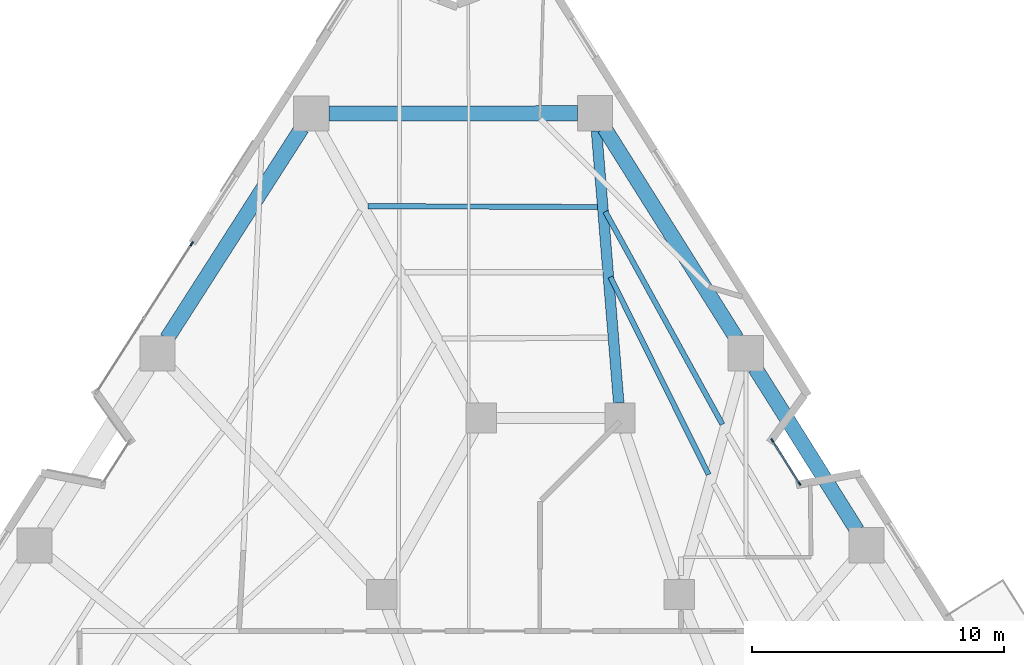
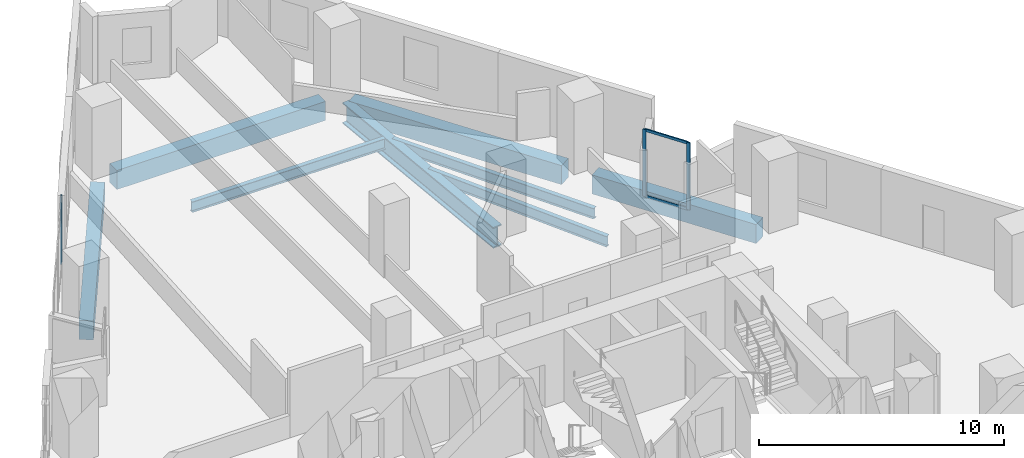
# One storey, part 4 of 12: 8 beams, 5 members, 2 elements without a shape of their own.
"""IFC4 building model written with IfcOpenShell, lengths in metres."""

import ifcopenshell
import ifcopenshell.guid

model = None  # the IFC model being written
_history = None  # IfcOwnerHistory: only IFC2X3 demands one
_inside = {}  # id of a spatial element -> (the spatial element, [elements in it])
_under = {}  # id of a project, library or spatial element -> (it, [spatial elements below it])
_declared = {}  # id of a project -> (the project, [libraries it declares])
_typed = {}  # id of a type object -> (the type object, [elements of that type])
_made_of = {}  # id of a material, layer set ... -> (it, [elements and type objects made of it])


def new_model(schema):
    """Start an empty IFC model of exactly this schema.

    Asked for "IFC4X3", IfcOpenShell would pick the latest addendum, in which some entities
    have other attributes; the version numbers below select the first issue.
    IFC2X3 requires an IfcOwnerHistory on every rooted entity: one is made here for all.
    """
    global model, _history
    if schema == "IFC4X3":
        model = ifcopenshell.file(schema_version=(4, 3, 0, 0))
    else:
        model = ifcopenshell.file(schema=schema)
    _inside.clear()
    _under.clear()
    _declared.clear()
    _typed.clear()
    _made_of.clear()
    _history = None
    if model.schema == "IFC2X3":
        org = make("IfcOrganization", Name="unknown")
        user = make(
            "IfcPersonAndOrganization",
            ThePerson=make("IfcPerson", FamilyName="unknown"),
            TheOrganization=org,
        )
        app = make(
            "IfcApplication",
            ApplicationDeveloper=org,
            Version="unknown",
            ApplicationFullName="unknown",
            ApplicationIdentifier="unknown",
        )
        _history = make(
            "IfcOwnerHistory",
            OwningUser=user,
            OwningApplication=app,
            ChangeAction="ADDED",
            CreationDate=0,
        )
    return model


def make(cls, **values):
    """One entity of the class cls with the attributes given. An attribute that is None is left unset."""
    return model.create_entity(
        cls, **{name: value for name, value in values.items() if value is not None}
    )


def rooted(cls, **values):
    """An entity with a GlobalId (a new one), such as an element, a storey or a relation."""
    return make(cls, GlobalId=ifcopenshell.guid.new(), OwnerHistory=_history, **values)


def si_unit(unit_type, name, prefix=None):
    """IfcSIUnit, for example si_unit("LENGTHUNIT", "METRE", prefix="MILLI")."""
    return make("IfcSIUnit", UnitType=unit_type, Prefix=prefix, Name=name)


def assignment(units):
    """IfcUnitAssignment: the units of a project."""
    return None if units is None else make("IfcUnitAssignment", Units=units)


def point(xyz):
    """IfcCartesianPoint."""
    return None if xyz is None else make("IfcCartesianPoint", Coordinates=xyz)


def direction(xyz):
    """IfcDirection."""
    return None if xyz is None else make("IfcDirection", DirectionRatios=xyz)


def frame(location, z_axis=None, x_axis=None):
    """IfcAxis2Placement3D, a coordinate frame: its origin and axes. An axis left out is left unset."""
    return make(
        "IfcAxis2Placement3D",
        Location=point(location),
        Axis=direction(z_axis),
        RefDirection=direction(x_axis),
    )


def frame_2d(location, x_axis=None):
    """IfcAxis2Placement2D, a coordinate frame in the plane: its origin and x axis."""
    return make(
        "IfcAxis2Placement2D", Location=point(location), RefDirection=direction(x_axis)
    )


def origin():
    """The frame at (0, 0, 0) with its axes left unset."""
    return frame((0.0, 0.0, 0.0))


def origin_2d():
    """The frame at (0, 0) in the plane with its x axis left unset."""
    return frame_2d((0.0, 0.0))


def place(relative_to, where):
    """IfcLocalPlacement: puts the frame where relative to a parent placement (None: the world)."""
    return make(
        "IfcLocalPlacement", PlacementRelTo=relative_to, RelativePlacement=where
    )


def context(
    kind, dimensions, precision=None, world=None, true_north=None, identifier=None
):
    """IfcGeometricRepresentationContext, for example the 3D "Model" context."""
    return make(
        "IfcGeometricRepresentationContext",
        ContextIdentifier=identifier,
        ContextType=kind,
        CoordinateSpaceDimension=dimensions,
        Precision=precision,
        WorldCoordinateSystem=world,
        TrueNorth=true_north,
    )


def subcontext(parent, identifier, kind, view, scale=None):
    """IfcGeometricRepresentationSubContext, for example "Body" below "Model"."""
    return make(
        "IfcGeometricRepresentationSubContext",
        ContextIdentifier=identifier,
        ContextType=kind,
        ParentContext=parent,
        TargetScale=scale,
        TargetView=view,
    )


def project(units=None, contexts=None):
    """IfcProject with its units and contexts."""
    return rooted(
        "IfcProject",
        Name="project",
        RepresentationContexts=contexts,
        UnitsInContext=assignment(units),
    )


def spatial(cls, under=None, at=None, **own):
    """A site, building, storey or space (cls), placed at a placement, below another one or the project."""
    s = rooted(cls, ObjectPlacement=at, **own)
    if under is not None:
        _under.setdefault(under.id(), (under, []))[1].append(s)
    return s


def profile(cls, at=None, kind="AREA", **sizes):
    """A parametric profile (cls). Its sizes go by their IFC names, for example OverallWidth=200.0."""
    return make(cls, ProfileType=kind, Position=at, **sizes)


def rectangle(**sizes):
    """IfcRectangleProfileDef."""
    return profile("IfcRectangleProfileDef", **sizes)


def i_section(**sizes):
    """IfcIShapeProfileDef."""
    return profile("IfcIShapeProfileDef", **sizes)


def extrude(swept, where, along, depth):
    """IfcExtrudedAreaSolid: the profile swept, set in the frame where, extruded along a direction by depth."""
    return make(
        "IfcExtrudedAreaSolid",
        SweptArea=swept,
        Position=where,
        ExtrudedDirection=direction(along),
        Depth=depth,
    )


def shape(context_of_items, identifier, shape_type, items):
    """IfcShapeRepresentation: the items that make up one representation, for example the "Body"."""
    return make(
        "IfcShapeRepresentation",
        ContextOfItems=context_of_items,
        RepresentationIdentifier=identifier,
        RepresentationType=shape_type,
        Items=items,
    )


def material(Name=None, Category=None):
    """IfcMaterial."""
    return make("IfcMaterial", Name=Name, Category=Category)


def layer(
    of_material, thickness, ventilated=None, Name=None, Category=None, Priority=None
):
    """IfcMaterialLayer: one layer of a wall or slab, of a material (None: an air gap)."""
    return make(
        "IfcMaterialLayer",
        Material=of_material,
        LayerThickness=thickness,
        IsVentilated=ventilated,
        Name=Name,
        Category=Category,
        Priority=Priority,
    )


def layer_set(layers, Name=None):
    """IfcMaterialLayerSet."""
    return make("IfcMaterialLayerSet", MaterialLayers=layers, LayerSetName=Name)


def material_profile(
    of_material, cross_section, Name=None, Category=None, Priority=None
):
    """IfcMaterialProfile: a cross section and its material."""
    return make(
        "IfcMaterialProfile",
        Name=Name,
        Material=of_material,
        Profile=cross_section,
        Priority=Priority,
        Category=Category,
    )


def profile_set(profiles, Name=None, composite=None):
    """IfcMaterialProfileSet."""
    return make(
        "IfcMaterialProfileSet",
        Name=Name,
        MaterialProfiles=profiles,
        CompositeProfile=composite,
    )


def made_of(thing, what):
    """Note that an element or type object is made of a material, layer set ...; save() writes the relation."""
    if what is not None:
        _made_of.setdefault(what.id(), (what, []))[1].append(thing)
    return thing


def type_object(cls, material=None, **own):
    """A type object (cls), such as IfcWallType, which elements share."""
    return made_of(rooted(cls, **own), material)


def element(
    cls,
    number,
    at=None,
    inside=None,
    cuts=None,
    type_object=None,
    material=None,
    context=None,
    identifier="Body",
    shape_type=None,
    held_by="IfcProductDefinitionShape",
    body=None,
    shapes=None,
    **own,
):
    """One element of the class cls, such as IfcWall. Its Tag is "e" and its number.

    at: its placement. inside: the storey or other place that contains it. cuts: it is an
    opening in that element (IfcRelVoidsElement). A single representation is given by context,
    identifier, shape_type and body (its items); several are given by shapes. held_by: the class
    of the entity that holds the representations. save() writes the other relations.
    """
    e = rooted(cls, Tag="e%d" % number, ObjectPlacement=at, **own)
    if body is not None:
        shapes = [shape(context, identifier, shape_type, body)]
    if shapes is not None:
        e.Representation = make(held_by, Representations=shapes)
    if inside is not None:
        _inside.setdefault(inside.id(), (inside, []))[1].append(e)
    if cuts is not None:
        rooted(
            "IfcRelVoidsElement", RelatingBuildingElement=cuts, RelatedOpeningElement=e
        )
    if type_object is not None:
        _typed.setdefault(type_object.id(), (type_object, []))[1].append(e)
    return made_of(e, material)


def aggregate(whole, parts):
    """IfcRelAggregates: a whole, such as a stair, and the parts it consists of."""
    return rooted("IfcRelAggregates", RelatingObject=whole, RelatedObjects=parts)


def save(model, path):
    """Write the relations noted so far, then the file.

    IfcRelAggregates (storeys below a building ...), IfcRelContainedInSpatialStructure (elements
    in a storey), IfcRelDefinesByType, IfcRelAssociatesMaterial and IfcRelDeclares: one each for
    every whole, place, type object, material and project.
    """
    for whole, parts in _under.values():
        aggregate(whole, parts)
    for where, things in _inside.values():
        rooted(
            "IfcRelContainedInSpatialStructure",
            RelatedElements=things,
            RelatingStructure=where,
        )
    for kind, things in _typed.values():
        rooted("IfcRelDefinesByType", RelatedObjects=things, RelatingType=kind)
    for what, things in _made_of.values():
        rooted("IfcRelAssociatesMaterial", RelatedObjects=things, RelatingMaterial=what)
    for by, libraries in _declared.values():
        rooted("IfcRelDeclares", RelatingContext=by, RelatedDefinitions=libraries)
    model.write(path)


model = new_model("IFC4")

# Units and contexts
model_context = context("Model", 3, precision=1e-05, world=origin(), true_north=direction((0.0, 1.0)))
body_context = subcontext(model_context, "Body", "Model", "MODEL_VIEW")
ifc_project = project(units=[si_unit("LENGTHUNIT", "METRE"), si_unit("AREAUNIT", "SQUARE_METRE"), si_unit("VOLUMEUNIT", "CUBIC_METRE"), si_unit("PLANEANGLEUNIT", "RADIAN"), si_unit("MASSUNIT", "GRAM", prefix="KILO")], contexts=[model_context])

# Site, building, storey
site_placement = place(None, origin())
site = spatial("IfcSite", under=ifc_project, at=site_placement, CompositionType="ELEMENT")
building_placement = place(site_placement, origin())
building = spatial("IfcBuilding", under=site, at=building_placement, Name="Almagre Mirador Tower", CompositionType="ELEMENT")
storey_placement = place(building_placement, frame((0.0, 0.0, 71.39990234375)))
storey = spatial("IfcBuildingStorey", under=building, at=storey_placement, Name="L17", CompositionType="ELEMENT", Elevation=71.39990234375)

# Beams
ifc_material_1 = material(Name="Steel ASTM A992 Grade 50", Category="steel")
ifc_material_profile_1 = material_profile(ifc_material_1, i_section(OverallWidth=0.208984375, OverallDepth=0.532958984375, WebThickness=0.01025390625, FlangeThickness=0.015625, FilletRadius=0.01806640625, at=origin_2d()), Name="W21X62")
ifc_profile_set_1 = profile_set([ifc_material_profile_1], Name="Steel ASTM A992 Grade 50")
beam_type_1 = type_object("IfcBeamType", Name="BM-JST-W21X62", PredefinedType="JOIST", material=ifc_profile_set_1)
beam_1_placement = place(storey_placement, frame((46.911865234375, 25.949951171875, -0.516357421875), z_axis=(-0.482292394025, 0.876010300548, 0.0), x_axis=(-0.876010300548, -0.482292394025, 0.0)))
element("IfcBeam", 1, at=beam_1_placement, inside=storey, type_object=beam_type_1, Name="L17 secondary floor joist PC07-PC08.1", PredefinedType="JOIST", context=body_context, shape_type="SweptSolid", body=[
    extrude(i_section(OverallWidth=0.208984375, OverallDepth=0.532958984375, WebThickness=0.01025390625, FlangeThickness=0.015625, FilletRadius=0.01806640625, at=origin_2d()), origin(), (0.0, 0.0, 1.0), 9.630615234375),
])
beam_2_placement = place(storey_placement, frame((46.368408203125, 23.9580078125, -0.516357421875), z_axis=(-0.445438105918, 0.895312735191, 0.0), x_axis=(-0.895312735191, -0.445438105918, 0.0)))
element("IfcBeam", 2, at=beam_2_placement, inside=storey, type_object=beam_type_1, Name="L17 secondary floor joist PC07-PC08.2", PredefinedType="JOIST", context=body_context, shape_type="SweptSolid", body=[
    extrude(i_section(OverallWidth=0.208984375, OverallDepth=0.532958984375, WebThickness=0.01025390625, FlangeThickness=0.015625, FilletRadius=0.01806640625, at=origin_2d()), origin(), (0.0, 0.0, 1.0), 8.749755859375),
])
beam_3_placement = place(storey_placement, frame((41.95654296875, 34.57080078125, -0.516357421875), z_axis=(-0.999993235317, 0.003678222446, 0.0), x_axis=(-0.003678222446, -0.999993235317, 0.0)))
element("IfcBeam", 3, at=beam_3_placement, inside=storey, type_object=beam_type_1, Name="L17 secondary floor joist PC08-PC09.1", PredefinedType="JOIST", context=body_context, shape_type="SweptSolid", body=[
    extrude(i_section(OverallWidth=0.208984375, OverallDepth=0.532958984375, WebThickness=0.01025390625, FlangeThickness=0.015625, FilletRadius=0.01806640625, at=origin_2d()), origin(), (0.0, 0.0, 1.0), 9.09326171875),
])
ifc_material_2 = material(Name="Precast concrete C50/60", Category="concrete")
ifc_material_profile_2 = material_profile(ifc_material_2, rectangle(XDim=0.60009765625, YDim=0.949951171875, at=origin_2d()), Name="RC600X950")
ifc_profile_set_2 = profile_set([ifc_material_profile_2], Name="Precast concrete C50/60")
beam_type_2 = type_object("IfcBeamType", Name="BM-SPN-RC600X950", PredefinedType="SPANDREL", material=ifc_profile_set_2)
beam_4_placement = place(storey_placement, frame((52.253662109375, 21.746826171875, -0.724853515625), z_axis=(-0.531919345601, 0.84679502229, 0.0), x_axis=(-0.84679502229, -0.531919345601, 0.0)))
element("IfcBeam", 4, at=beam_4_placement, inside=storey, type_object=beam_type_2, Name="L17 perimeter spandrel beam PC06-PC07", PredefinedType="SPANDREL", context=body_context, shape_type="SweptSolid", body=[
    extrude(rectangle(XDim=0.60009765625, YDim=0.949951171875, at=origin_2d()), origin(), (0.0, 0.0, 1.0), 7.59375),
])
beam_5_placement = place(storey_placement, frame((47.4697265625, 29.36279296875, -0.724853515625), z_axis=(-0.531919552243, 0.846794892487, 0.0), x_axis=(-0.846794892487, -0.531919552243, 0.0)))
element("IfcBeam", 5, at=beam_5_placement, inside=storey, type_object=beam_type_2, Name="L17 perimeter spandrel beam PC07-PC08", PredefinedType="SPANDREL", context=body_context, shape_type="SweptSolid", body=[
    extrude(rectangle(XDim=0.60009765625, YDim=0.949951171875, at=origin_2d()), origin(), (0.0, 0.0, 1.0), 9.84228515625),
])
beam_6_placement = place(storey_placement, frame((41.162109375, 38.289306640625, -0.724853515625), z_axis=(-0.999999686228, -0.000792177001, 0.0), x_axis=(0.000792177001, -0.999999686228, 0.0)))
element("IfcBeam", 6, at=beam_6_placement, inside=storey, type_object=beam_type_2, Name="L17 perimeter spandrel beam PC08-PC09", PredefinedType="SPANDREL", context=body_context, shape_type="SweptSolid", body=[
    extrude(rectangle(XDim=0.60009765625, YDim=0.949951171875, at=origin_2d()), origin(), (0.0, 0.0, 1.0), 9.862060546875),
])
beam_7_placement = place(storey_placement, frame((30.222412109375, 37.691650390625, -0.724853515625), z_axis=(-0.539503978712, -0.841983050277, 0.0), x_axis=(0.841983050277, -0.539503978712, 0.0)))
element("IfcBeam", 7, at=beam_7_placement, inside=storey, type_object=beam_type_2, Name="L17 perimeter spandrel beam PC09-PC10", PredefinedType="SPANDREL", context=body_context, shape_type="SweptSolid", body=[
    extrude(rectangle(XDim=0.60009765625, YDim=0.949951171875, at=origin_2d()), origin(), (0.0, 0.0, 1.0), 9.90673828125),
])
ifc_material_3 = material(Name="Steel ASTM A913 Grade 65", Category="steel")
ifc_material_profile_3 = material_profile(ifc_material_3, i_section(OverallWidth=0.4189453125, OverallDepth=1.041015625, WebThickness=0.031005859375, FlangeThickness=0.055908203125, FilletRadius=0.030029296875, at=origin_2d()), Name="W40X397")
ifc_profile_set_3 = profile_set([ifc_material_profile_3], Name="Steel ASTM A913 Grade 65")
beam_type_3 = type_object("IfcBeamType", Name="BM-STL-W40X397", PredefinedType="BEAM", material=ifc_profile_set_3)
beam_8_placement = place(storey_placement, frame((41.9189453125, 37.59228515625, -0.7705078125), z_axis=(0.081446555718, -0.996677710477, 0.0), x_axis=(0.996677710477, 0.081446555718, 0.0)))
element("IfcBeam", 8, at=beam_8_placement, inside=storey, type_object=beam_type_3, Name="L17 radial floor girder PC08-MC6", PredefinedType="BEAM", context=body_context, shape_type="SweptSolid", body=[
    extrude(i_section(OverallWidth=0.4189453125, OverallDepth=1.041015625, WebThickness=0.031005859375, FlangeThickness=0.055908203125, FilletRadius=0.030029296875, at=origin_2d()), origin(), (0.0, 0.0, 1.0), 10.830078125),
])

# Curtain wall, members
ifc_material_4 = material(Name="Black anodized aluminium", Category="aluminium")
ifc_layer_1 = layer(ifc_material_4, 0.169921875)
ifc_layer_set_1 = layer_set([ifc_layer_1], Name="Black anodized aluminium")
curtain_wall_type_1 = type_object("IfcCurtainWallType", Name="CW-CRS-SYS", PredefinedType="NOTDEFINED", material=ifc_layer_set_1)
curtain_wall_1_placement = place(storey_placement, origin())
curtain_wall_1 = element("IfcCurtainWall", 9, at=curtain_wall_1_placement, inside=storey, type_object=curtain_wall_type_1, Name="L17 vertical crease curtain wall 03", PredefinedType="NOTDEFINED")
ifc_material_5 = material(Name="Black anodized aluminium", Category="aluminium")
ifc_material_profile_4 = material_profile(ifc_material_5, rectangle(XDim=0.06005859375, YDim=0.14990234375, at=origin_2d()), Name="CWM60X150")
ifc_profile_set_4 = profile_set([ifc_material_profile_4], Name="Black anodized aluminium")
member_type_1 = type_object("IfcMemberType", Name="MBR-CWM60X150", PredefinedType="MULLION", material=ifc_profile_set_4)
member_1_placement = place(storey_placement, frame((48.889892578125, 25.315673828125, 0.0), z_axis=(0.0, 0.0, 1.0), x_axis=(0.846975175549, 0.531632440698, 0.0)))
member_1 = element("IfcMember", 10, at=member_1_placement, type_object=member_type_1, Name="CW-4 mullion 1", PredefinedType="MULLION", context=body_context, shape_type="SweptSolid", body=[
    extrude(rectangle(XDim=0.06005859375, YDim=0.14990234375, at=origin_2d()), origin(), (0.0, 0.0, 1.0), 3.35009765625),
])
member_2_placement = place(storey_placement, frame((49.968994140625, 23.596435546875, 0.0), z_axis=(0.0, 0.0, 1.0), x_axis=(0.846975175549, 0.531632440698, 0.0)))
member_2 = element("IfcMember", 11, at=member_2_placement, type_object=member_type_1, Name="CW-4 mullion 2", PredefinedType="MULLION", context=body_context, shape_type="SweptSolid", body=[
    extrude(rectangle(XDim=0.06005859375, YDim=0.14990234375, at=origin_2d()), origin(), (0.0, 0.0, 1.0), 3.35009765625),
])

# Curtain wall, member
ifc_material_6 = material(Name="Black anodized aluminium", Category="aluminium")
ifc_layer_2 = layer(ifc_material_6, 0.18994140625)
ifc_layer_set_2 = layer_set([ifc_layer_2], Name="Black anodized aluminium")
curtain_wall_type_2 = type_object("IfcCurtainWallType", Name="CW-RES-L-SYS", PredefinedType="NOTDEFINED", material=ifc_layer_set_2)
curtain_wall_2_placement = place(storey_placement, origin())
curtain_wall_2 = element("IfcCurtainWall", 12, at=curtain_wall_2_placement, inside=storey, type_object=curtain_wall_type_2, Name="L17 curtain wall run 02", PredefinedType="NOTDEFINED")
ifc_material_7 = material(Name="Black anodized aluminium", Category="aluminium")
ifc_material_profile_5 = material_profile(ifc_material_7, rectangle(XDim=0.06494140625, YDim=0.179931640625, at=origin_2d()), Name="CWM65X180")
ifc_profile_set_5 = profile_set([ifc_material_profile_5], Name="Black anodized aluminium")
member_type_2 = type_object("IfcMemberType", Name="MBR-CWM65X180", PredefinedType="MULLION", material=ifc_profile_set_5)
member_3_placement = place(storey_placement, frame((25.8642578125, 33.11328125, 0.0), z_axis=(0.0, 0.0, 1.0), x_axis=(-0.841971917675, 0.539521352541, 0.0)))
member_3 = element("IfcMember", 13, at=member_3_placement, type_object=member_type_2, Name="CW-2 mullion 3", PredefinedType="MULLION", context=body_context, shape_type="SweptSolid", body=[
    extrude(rectangle(XDim=0.06494140625, YDim=0.179931640625, at=origin_2d()), origin(), (0.0, 0.0, 1.0), 3.35009765625),
])
aggregate(curtain_wall_2, [member_3])

# Member
ifc_material_8 = material(Name="Black anodized aluminium", Category="aluminium")
ifc_material_profile_6 = material_profile(ifc_material_8, rectangle(XDim=0.06005859375, YDim=0.1298828125, at=origin_2d()), Name="CWT60X130")
ifc_profile_set_6 = profile_set([ifc_material_profile_6], Name="Black anodized aluminium")
member_type_3 = type_object("IfcMemberType", Name="MBR-CWT60X130", PredefinedType="USERDEFINED", material=ifc_profile_set_6)
member_4_placement = place(storey_placement, frame((48.906005859375, 25.290283203125, 0.030029296875), z_axis=(0.531579997446, -0.847008091057, 0.0), x_axis=(0.847008091057, 0.531579997446, 0.0)))
member_4 = element("IfcMember", 14, at=member_4_placement, type_object=member_type_3, Name="CW-4 transom 1.1", ObjectType="TRANSOM", PredefinedType="USERDEFINED", context=body_context, shape_type="SweptSolid", body=[
    extrude(rectangle(XDim=0.06005859375, YDim=0.1298828125, at=origin_2d()), origin(), (0.0, 0.0, 1.0), 1.9697265625),
])

member_5_placement = place(storey_placement, frame((48.906005859375, 25.290283203125, 3.320068359375), z_axis=(0.531579997446, -0.847008091057, 0.0), x_axis=(0.847008091057, 0.531579997446, 0.0)))
member_5 = element("IfcMember", 15, at=member_5_placement, type_object=member_type_3, Name="CW-4 transom 1.2", ObjectType="TRANSOM", PredefinedType="USERDEFINED", context=body_context, shape_type="SweptSolid", body=[
    extrude(rectangle(XDim=0.06005859375, YDim=0.1298828125, at=origin_2d()), origin(), (0.0, 0.0, 1.0), 1.9697265625),
])

aggregate(curtain_wall_1, [member_1, member_2, member_4, member_5])

save(model, "model.ifc")
